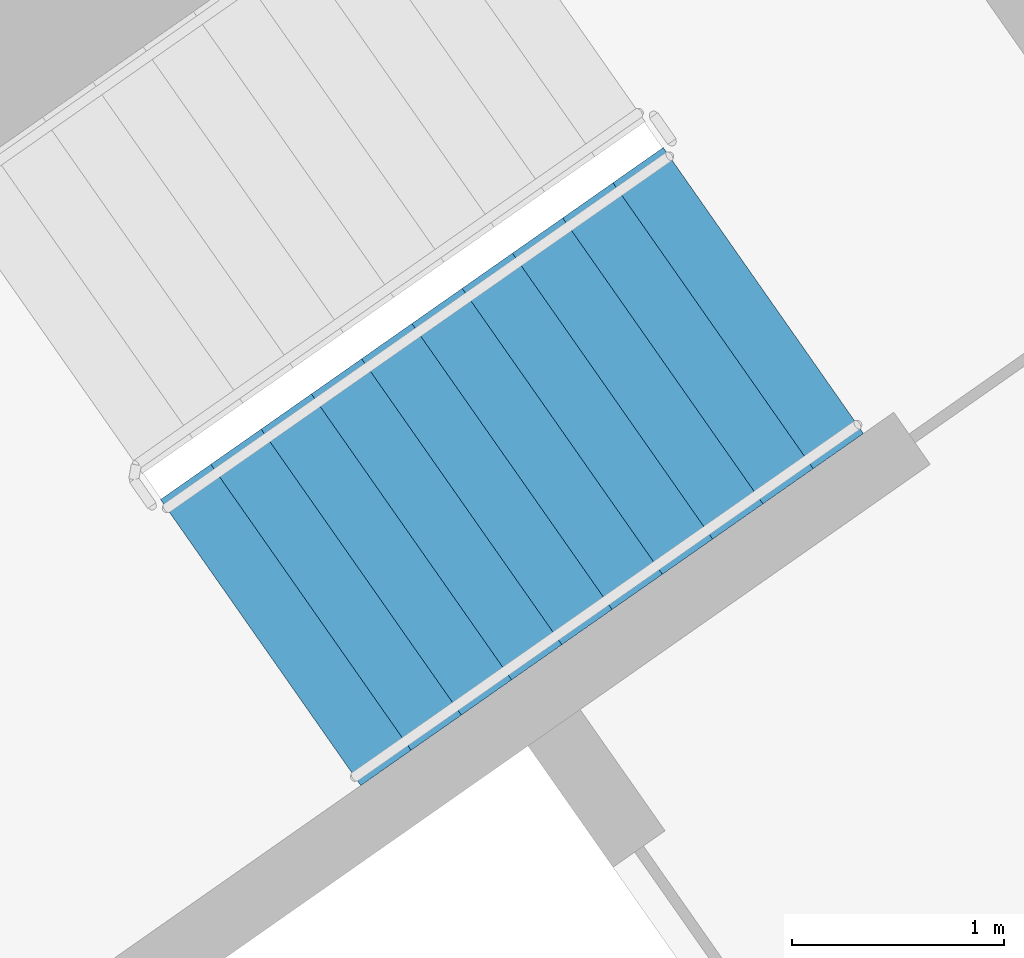
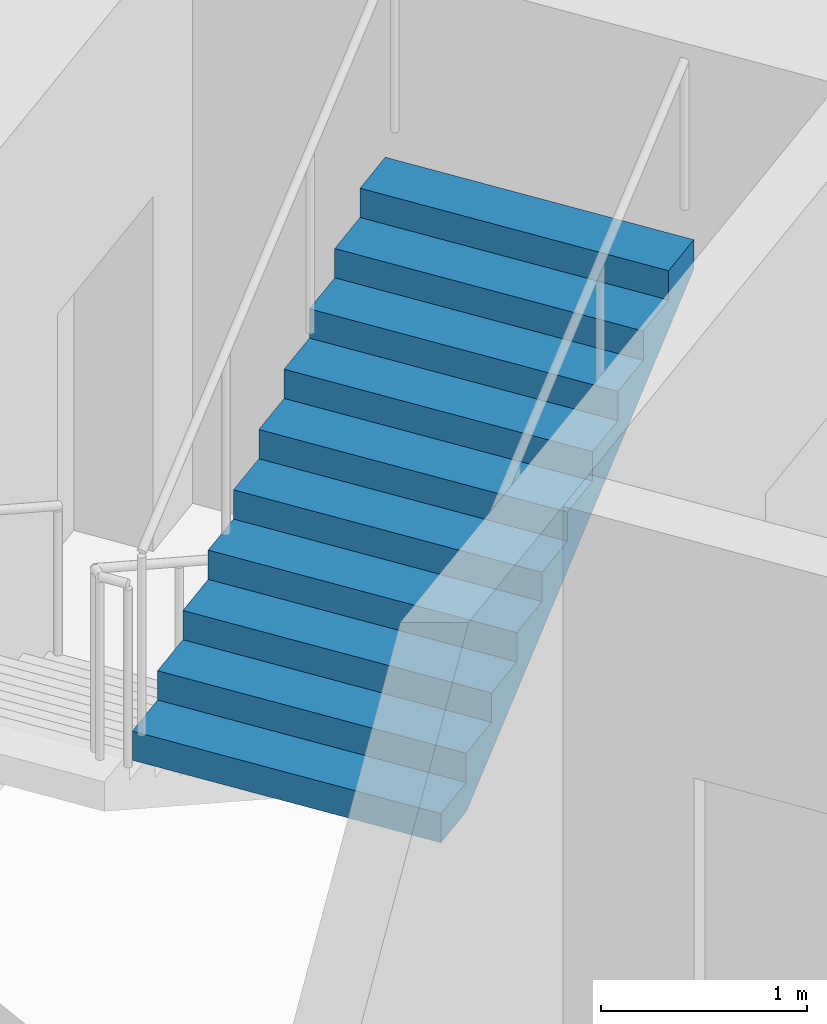
# One storey, part 15 of 33: 1 stair flight, 1 element without a shape of its own.
"""IFC4 building model written with IfcOpenShell, lengths in metres."""

from ifc_helpers import new_model, si_unit, direction, frame, origin, place, context, subcontext, project, spatial, faceted_brep, material, type_object, element, aggregate, save


model = new_model("IFC4")

# Units and contexts
model_context = context("Model", 3, precision=1e-05, world=origin(), true_north=direction((0.0, 1.0)))
body_context = subcontext(model_context, "Body", "Model", "MODEL_VIEW")
ifc_project = project(units=[si_unit("LENGTHUNIT", "METRE"), si_unit("AREAUNIT", "SQUARE_METRE"), si_unit("VOLUMEUNIT", "CUBIC_METRE"), si_unit("PLANEANGLEUNIT", "RADIAN"), si_unit("MASSUNIT", "GRAM", prefix="KILO")], contexts=[model_context])

# Site, building, storey
site_placement = place(None, origin())
site = spatial("IfcSite", under=ifc_project, at=site_placement, CompositionType="ELEMENT")
building_placement = place(site_placement, origin())
building = spatial("IfcBuilding", under=site, at=building_placement, Name="Qamariyya Broadcast Tower", CompositionType="ELEMENT")
storey_placement = place(building_placement, frame((0.0, 0.0, 78.5)))
storey = spatial("IfcBuildingStorey", under=building, at=storey_placement, Name="L16", CompositionType="ELEMENT", Elevation=78.5)

# Stair, stair flight
ifc_material = material(Name="Concrete C50/60", Category="concrete")
stair_type = type_object("IfcStairType", Name="Exit stair 22 risers of 173 mm", PredefinedType="HALF_TURN_STAIR", material=ifc_material)
stair_placement = place(storey_placement, origin())
stair = element("IfcStair", 1, at=stair_placement, inside=storey, type_object=stair_type, Name="L16 Stair E2", PredefinedType="HALF_TURN_STAIR")
stair_flight_type = type_object("IfcStairFlightType", Name="Exit stair flight 11 risers of 173 mm", PredefinedType="STRAIGHT", material=ifc_material)
stair_flight_placement = place(storey_placement, frame((39.215576171875, -50.822998046875, 1.89990234375), z_axis=(0.0, 0.0, 1.0), x_axis=(0.819152044289, 0.573576436351, 0.0)))
stair_flight = element("IfcStairFlight", 2, at=stair_flight_placement, type_object=stair_flight_type, Name="ST-E2 flight 2", NumberOfRisers=11, NumberOfTreads=10, PredefinedType="STRAIGHT", RiserHeight=0.172727273, TreadLength=0.29, context=body_context, shape_type="Brep", body=[
    faceted_brep([(0.0, 0.824951171875, 0.0), (0.0, 0.824951171875, 0.172607421875), (0.2900390625, 0.824951171875, 0.172607421875), (0.2900390625, 0.824951171875, 0.345458984375), (0.580078125, 0.824951171875, 0.345458984375), (0.580078125, 0.824951171875, 0.51806640625), (0.8701171875, 0.824951171875, 0.51806640625), (0.8701171875, 0.824951171875, 0.69091796875), (1.159912109375, 0.824951171875, 0.69091796875), (1.159912109375, 0.824951171875, 0.863525390625), (1.449951171875, 0.824951171875, 0.863525390625), (1.449951171875, 0.824951171875, 1.036376953125), (1.739990234375, 0.824951171875, 1.036376953125), (1.739990234375, 0.824951171875, 1.208984375), (2.030029296875, 0.824951171875, 1.208984375), (2.030029296875, 0.824951171875, 1.3818359375), (2.320068359375, 0.824951171875, 1.3818359375), (2.320068359375, 0.824951171875, 1.554443359375), (2.610107421875, 0.824951171875, 1.554443359375), (2.610107421875, 0.824951171875, 1.727294921875), (2.89990234375, 0.824951171875, 1.727294921875), (2.89990234375, 0.824951171875, 1.552734375), (0.29296875, 0.824951171875, 0.0), (0.29296875, -0.824951171875, 0.0), (2.89990234375, -0.824951171875, 1.552734375), (2.89990234375, -0.824951171875, 1.727294921875), (2.610107421875, -0.824951171875, 1.727294921875), (2.610107421875, -0.824951171875, 1.554443359375), (2.320068359375, -0.824951171875, 1.554443359375), (2.320068359375, -0.824951171875, 1.3818359375), (2.030029296875, -0.824951171875, 1.3818359375), (2.030029296875, -0.824951171875, 1.208984375), (1.739990234375, -0.824951171875, 1.208984375), (1.739990234375, -0.824951171875, 1.036376953125), (1.449951171875, -0.824951171875, 1.036376953125), (1.449951171875, -0.824951171875, 0.863525390625), (1.159912109375, -0.824951171875, 0.863525390625), (1.159912109375, -0.824951171875, 0.69091796875), (0.8701171875, -0.824951171875, 0.69091796875), (0.8701171875, -0.824951171875, 0.51806640625), (0.580078125, -0.824951171875, 0.51806640625), (0.580078125, -0.824951171875, 0.345458984375), (0.2900390625, -0.824951171875, 0.345458984375), (0.2900390625, -0.824951171875, 0.172607421875), (0.0, -0.824951171875, 0.172607421875), (0.0, -0.824951171875, 0.0), (0.0, 0.10009765625, 0.0), (0.0, 0.086669921875, 0.0), (0.0, 0.0732421875, 0.0), (0.0, 0.06005859375, 0.0), (0.0, 0.046630859375, 0.0), (0.0, 0.033447265625, 0.0), (0.0, 0.02001953125, 0.0), (0.0, 0.006591796875, 0.0), (0.0, -0.006591796875, 0.0), (0.0, -0.02001953125, 0.0), (0.0, -0.033447265625, 0.0), (0.0, -0.046630859375, 0.0), (0.0, -0.06005859375, 0.0), (0.0, -0.0732421875, 0.0), (0.0, -0.086669921875, 0.0), (0.0, -0.10009765625, 0.0), (0.0, -0.10009765625, 0.172607421875), (0.0, -0.086669921875, 0.172607421875), (0.0, -0.0732421875, 0.172607421875), (0.0, -0.06005859375, 0.172607421875), (0.0, -0.046630859375, 0.172607421875), (0.0, -0.033447265625, 0.172607421875), (0.0, -0.02001953125, 0.172607421875), (0.0, -0.006591796875, 0.172607421875), (0.0, 0.006591796875, 0.172607421875), (0.0, 0.02001953125, 0.172607421875), (0.0, 0.033447265625, 0.172607421875), (0.0, 0.046630859375, 0.172607421875), (0.0, 0.06005859375, 0.172607421875), (0.0, 0.0732421875, 0.172607421875), (0.0, 0.086669921875, 0.172607421875), (0.0, 0.10009765625, 0.172607421875), (0.2900390625, -0.10009765625, 0.172607421875), (0.2900390625, -0.086669921875, 0.172607421875), (0.2900390625, -0.0732421875, 0.172607421875), (0.2900390625, -0.06005859375, 0.172607421875), (0.2900390625, -0.046630859375, 0.172607421875), (0.2900390625, -0.033447265625, 0.172607421875), (0.2900390625, -0.02001953125, 0.172607421875), (0.2900390625, -0.006591796875, 0.172607421875), (0.2900390625, 0.006591796875, 0.172607421875), (0.2900390625, 0.02001953125, 0.172607421875), (0.2900390625, 0.033447265625, 0.172607421875), (0.2900390625, 0.046630859375, 0.172607421875), (0.2900390625, 0.06005859375, 0.172607421875), (0.2900390625, 0.0732421875, 0.172607421875), (0.2900390625, 0.086669921875, 0.172607421875), (0.2900390625, 0.10009765625, 0.172607421875), (0.2900390625, -0.10009765625, 0.345458984375), (0.2900390625, -0.086669921875, 0.345458984375), (0.2900390625, -0.0732421875, 0.345458984375), (0.2900390625, -0.06005859375, 0.345458984375), (0.2900390625, -0.046630859375, 0.345458984375), (0.2900390625, -0.033447265625, 0.345458984375), (0.2900390625, -0.02001953125, 0.345458984375), (0.2900390625, -0.006591796875, 0.345458984375), (0.2900390625, 0.006591796875, 0.345458984375), (0.2900390625, 0.02001953125, 0.345458984375), (0.2900390625, 0.033447265625, 0.345458984375), (0.2900390625, 0.046630859375, 0.345458984375), (0.2900390625, 0.06005859375, 0.345458984375), (0.2900390625, 0.0732421875, 0.345458984375), (0.2900390625, 0.086669921875, 0.345458984375), (0.2900390625, 0.10009765625, 0.345458984375), (0.580078125, -0.10009765625, 0.345458984375), (0.580078125, -0.086669921875, 0.345458984375), (0.580078125, -0.0732421875, 0.345458984375), (0.580078125, -0.06005859375, 0.345458984375), (0.580078125, -0.046630859375, 0.345458984375), (0.580078125, -0.033447265625, 0.345458984375), (0.580078125, -0.02001953125, 0.345458984375), (0.580078125, -0.006591796875, 0.345458984375), (0.580078125, 0.006591796875, 0.345458984375), (0.580078125, 0.02001953125, 0.345458984375), (0.580078125, 0.033447265625, 0.345458984375), (0.580078125, 0.046630859375, 0.345458984375), (0.580078125, 0.06005859375, 0.345458984375), (0.580078125, 0.0732421875, 0.345458984375), (0.580078125, 0.086669921875, 0.345458984375), (0.580078125, 0.10009765625, 0.345458984375), (0.580078125, -0.10009765625, 0.51806640625), (0.580078125, -0.086669921875, 0.51806640625), (0.580078125, -0.0732421875, 0.51806640625), (0.580078125, -0.06005859375, 0.51806640625), (0.580078125, -0.046630859375, 0.51806640625), (0.580078125, -0.033447265625, 0.51806640625), (0.580078125, -0.02001953125, 0.51806640625), (0.580078125, -0.006591796875, 0.51806640625), (0.580078125, 0.006591796875, 0.51806640625), (0.580078125, 0.02001953125, 0.51806640625), (0.580078125, 0.033447265625, 0.51806640625), (0.580078125, 0.046630859375, 0.51806640625), (0.580078125, 0.06005859375, 0.51806640625), (0.580078125, 0.0732421875, 0.51806640625), (0.580078125, 0.086669921875, 0.51806640625), (0.580078125, 0.10009765625, 0.51806640625), (0.8701171875, -0.10009765625, 0.51806640625), (0.8701171875, -0.086669921875, 0.51806640625), (0.8701171875, -0.0732421875, 0.51806640625), (0.8701171875, -0.06005859375, 0.51806640625), (0.8701171875, -0.046630859375, 0.51806640625), (0.8701171875, -0.033447265625, 0.51806640625), (0.8701171875, -0.02001953125, 0.51806640625), (0.8701171875, -0.006591796875, 0.51806640625), (0.8701171875, 0.006591796875, 0.51806640625), (0.8701171875, 0.02001953125, 0.51806640625), (0.8701171875, 0.033447265625, 0.51806640625), (0.8701171875, 0.046630859375, 0.51806640625), (0.8701171875, 0.06005859375, 0.51806640625), (0.8701171875, 0.0732421875, 0.51806640625), (0.8701171875, 0.086669921875, 0.51806640625), (0.8701171875, 0.10009765625, 0.51806640625), (0.8701171875, -0.10009765625, 0.69091796875), (0.8701171875, -0.086669921875, 0.69091796875), (0.8701171875, -0.0732421875, 0.69091796875), (0.8701171875, -0.06005859375, 0.69091796875), (0.8701171875, -0.046630859375, 0.69091796875), (0.8701171875, -0.033447265625, 0.69091796875), (0.8701171875, -0.02001953125, 0.69091796875), (0.8701171875, -0.006591796875, 0.69091796875), (0.8701171875, 0.006591796875, 0.69091796875), (0.8701171875, 0.02001953125, 0.69091796875), (0.8701171875, 0.033447265625, 0.69091796875), (0.8701171875, 0.046630859375, 0.69091796875), (0.8701171875, 0.06005859375, 0.69091796875), (0.8701171875, 0.0732421875, 0.69091796875), (0.8701171875, 0.086669921875, 0.69091796875), (0.8701171875, 0.10009765625, 0.69091796875), (1.159912109375, -0.10009765625, 0.69091796875), (1.159912109375, -0.086669921875, 0.69091796875), (1.159912109375, -0.0732421875, 0.69091796875), (1.159912109375, -0.06005859375, 0.69091796875), (1.159912109375, -0.046630859375, 0.69091796875), (1.159912109375, -0.033447265625, 0.69091796875), (1.159912109375, -0.02001953125, 0.69091796875), (1.159912109375, -0.006591796875, 0.69091796875), (1.159912109375, 0.006591796875, 0.69091796875), (1.159912109375, 0.02001953125, 0.69091796875), (1.159912109375, 0.033447265625, 0.69091796875), (1.159912109375, 0.046630859375, 0.69091796875), (1.159912109375, 0.06005859375, 0.69091796875), (1.159912109375, 0.0732421875, 0.69091796875), (1.159912109375, 0.086669921875, 0.69091796875), (1.159912109375, 0.10009765625, 0.69091796875), (1.159912109375, -0.10009765625, 0.863525390625), (1.159912109375, -0.086669921875, 0.863525390625), (1.159912109375, -0.0732421875, 0.863525390625), (1.159912109375, -0.06005859375, 0.863525390625), (1.159912109375, -0.046630859375, 0.863525390625), (1.159912109375, -0.033447265625, 0.863525390625), (1.159912109375, -0.02001953125, 0.863525390625), (1.159912109375, -0.006591796875, 0.863525390625), (1.159912109375, 0.006591796875, 0.863525390625), (1.159912109375, 0.02001953125, 0.863525390625), (1.159912109375, 0.033447265625, 0.863525390625), (1.159912109375, 0.046630859375, 0.863525390625), (1.159912109375, 0.06005859375, 0.863525390625), (1.159912109375, 0.0732421875, 0.863525390625), (1.159912109375, 0.086669921875, 0.863525390625), (1.159912109375, 0.10009765625, 0.863525390625), (1.449951171875, -0.10009765625, 0.863525390625), (1.449951171875, -0.086669921875, 0.863525390625), (1.449951171875, -0.0732421875, 0.863525390625), (1.449951171875, -0.06005859375, 0.863525390625), (1.449951171875, -0.046630859375, 0.863525390625), (1.449951171875, -0.033447265625, 0.863525390625), (1.449951171875, -0.02001953125, 0.863525390625), (1.449951171875, -0.006591796875, 0.863525390625), (1.449951171875, 0.006591796875, 0.863525390625), (1.449951171875, 0.02001953125, 0.863525390625), (1.449951171875, 0.033447265625, 0.863525390625), (1.449951171875, 0.046630859375, 0.863525390625), (1.449951171875, 0.06005859375, 0.863525390625), (1.449951171875, 0.0732421875, 0.863525390625), (1.449951171875, 0.086669921875, 0.863525390625), (1.449951171875, 0.10009765625, 0.863525390625), (1.449951171875, -0.10009765625, 1.036376953125), (1.449951171875, -0.086669921875, 1.036376953125), (1.449951171875, -0.0732421875, 1.036376953125), (1.449951171875, -0.06005859375, 1.036376953125), (1.449951171875, -0.046630859375, 1.036376953125), (1.449951171875, -0.033447265625, 1.036376953125), (1.449951171875, -0.02001953125, 1.036376953125), (1.449951171875, -0.006591796875, 1.036376953125), (1.449951171875, 0.006591796875, 1.036376953125), (1.449951171875, 0.02001953125, 1.036376953125), (1.449951171875, 0.033447265625, 1.036376953125), (1.449951171875, 0.046630859375, 1.036376953125), (1.449951171875, 0.06005859375, 1.036376953125), (1.449951171875, 0.0732421875, 1.036376953125), (1.449951171875, 0.086669921875, 1.036376953125), (1.449951171875, 0.10009765625, 1.036376953125), (1.739990234375, -0.10009765625, 1.036376953125), (1.739990234375, -0.086669921875, 1.036376953125), (1.739990234375, -0.0732421875, 1.036376953125), (1.739990234375, -0.06005859375, 1.036376953125), (1.739990234375, -0.046630859375, 1.036376953125), (1.739990234375, -0.033447265625, 1.036376953125), (1.739990234375, -0.02001953125, 1.036376953125), (1.739990234375, -0.006591796875, 1.036376953125), (1.739990234375, 0.006591796875, 1.036376953125), (1.739990234375, 0.02001953125, 1.036376953125), (1.739990234375, 0.033447265625, 1.036376953125), (1.739990234375, 0.046630859375, 1.036376953125), (1.739990234375, 0.06005859375, 1.036376953125), (1.739990234375, 0.0732421875, 1.036376953125), (1.739990234375, 0.086669921875, 1.036376953125), (1.739990234375, 0.10009765625, 1.036376953125), (1.739990234375, -0.10009765625, 1.208984375), (1.739990234375, -0.086669921875, 1.208984375), (1.739990234375, -0.0732421875, 1.208984375), (1.739990234375, -0.06005859375, 1.208984375), (1.739990234375, -0.046630859375, 1.208984375), (1.739990234375, -0.033447265625, 1.208984375), (1.739990234375, -0.02001953125, 1.208984375), (1.739990234375, -0.006591796875, 1.208984375), (1.739990234375, 0.006591796875, 1.208984375), (1.739990234375, 0.02001953125, 1.208984375), (1.739990234375, 0.033447265625, 1.208984375), (1.739990234375, 0.046630859375, 1.208984375), (1.739990234375, 0.06005859375, 1.208984375), (1.739990234375, 0.0732421875, 1.208984375), (1.739990234375, 0.086669921875, 1.208984375), (1.739990234375, 0.10009765625, 1.208984375), (2.030029296875, -0.10009765625, 1.208984375), (2.030029296875, -0.086669921875, 1.208984375), (2.030029296875, -0.0732421875, 1.208984375), (2.030029296875, -0.06005859375, 1.208984375), (2.030029296875, -0.046630859375, 1.208984375), (2.030029296875, -0.033447265625, 1.208984375), (2.030029296875, -0.02001953125, 1.208984375), (2.030029296875, -0.006591796875, 1.208984375), (2.030029296875, 0.006591796875, 1.208984375), (2.030029296875, 0.02001953125, 1.208984375), (2.030029296875, 0.033447265625, 1.208984375), (2.030029296875, 0.046630859375, 1.208984375), (2.030029296875, 0.06005859375, 1.208984375), (2.030029296875, 0.0732421875, 1.208984375), (2.030029296875, 0.086669921875, 1.208984375), (2.030029296875, 0.10009765625, 1.208984375), (2.030029296875, -0.10009765625, 1.3818359375), (2.030029296875, -0.086669921875, 1.3818359375), (2.030029296875, -0.0732421875, 1.3818359375), (2.030029296875, -0.06005859375, 1.3818359375), (2.030029296875, -0.046630859375, 1.3818359375), (2.030029296875, -0.033447265625, 1.3818359375), (2.030029296875, -0.02001953125, 1.3818359375), (2.030029296875, -0.006591796875, 1.3818359375), (2.030029296875, 0.006591796875, 1.3818359375), (2.030029296875, 0.02001953125, 1.3818359375), (2.030029296875, 0.033447265625, 1.3818359375), (2.030029296875, 0.046630859375, 1.3818359375), (2.030029296875, 0.06005859375, 1.3818359375), (2.030029296875, 0.0732421875, 1.3818359375), (2.030029296875, 0.086669921875, 1.3818359375), (2.030029296875, 0.10009765625, 1.3818359375), (2.320068359375, -0.10009765625, 1.3818359375), (2.320068359375, -0.086669921875, 1.3818359375), (2.320068359375, -0.0732421875, 1.3818359375), (2.320068359375, -0.06005859375, 1.3818359375), (2.320068359375, -0.046630859375, 1.3818359375), (2.320068359375, -0.033447265625, 1.3818359375), (2.320068359375, -0.02001953125, 1.3818359375), (2.320068359375, -0.006591796875, 1.3818359375), (2.320068359375, 0.006591796875, 1.3818359375), (2.320068359375, 0.02001953125, 1.3818359375), (2.320068359375, 0.033447265625, 1.3818359375), (2.320068359375, 0.046630859375, 1.3818359375), (2.320068359375, 0.06005859375, 1.3818359375), (2.320068359375, 0.0732421875, 1.3818359375), (2.320068359375, 0.086669921875, 1.3818359375), (2.320068359375, 0.10009765625, 1.3818359375), (2.320068359375, -0.10009765625, 1.554443359375), (2.320068359375, -0.086669921875, 1.554443359375), (2.320068359375, -0.0732421875, 1.554443359375), (2.320068359375, -0.06005859375, 1.554443359375), (2.320068359375, -0.046630859375, 1.554443359375), (2.320068359375, -0.033447265625, 1.554443359375), (2.320068359375, -0.02001953125, 1.554443359375), (2.320068359375, -0.006591796875, 1.554443359375), (2.320068359375, 0.006591796875, 1.554443359375), (2.320068359375, 0.02001953125, 1.554443359375), (2.320068359375, 0.033447265625, 1.554443359375), (2.320068359375, 0.046630859375, 1.554443359375), (2.320068359375, 0.06005859375, 1.554443359375), (2.320068359375, 0.0732421875, 1.554443359375), (2.320068359375, 0.086669921875, 1.554443359375), (2.320068359375, 0.10009765625, 1.554443359375), (2.610107421875, -0.10009765625, 1.554443359375), (2.610107421875, -0.086669921875, 1.554443359375), (2.610107421875, -0.0732421875, 1.554443359375), (2.610107421875, -0.06005859375, 1.554443359375), (2.610107421875, -0.046630859375, 1.554443359375), (2.610107421875, -0.033447265625, 1.554443359375), (2.610107421875, -0.02001953125, 1.554443359375), (2.610107421875, -0.006591796875, 1.554443359375), (2.610107421875, 0.006591796875, 1.554443359375), (2.610107421875, 0.02001953125, 1.554443359375), (2.610107421875, 0.033447265625, 1.554443359375), (2.610107421875, 0.046630859375, 1.554443359375), (2.610107421875, 0.06005859375, 1.554443359375), (2.610107421875, 0.0732421875, 1.554443359375), (2.610107421875, 0.086669921875, 1.554443359375), (2.610107421875, 0.10009765625, 1.554443359375), (2.610107421875, -0.10009765625, 1.727294921875), (2.610107421875, -0.086669921875, 1.727294921875), (2.610107421875, -0.0732421875, 1.727294921875), (2.610107421875, -0.06005859375, 1.727294921875), (2.610107421875, -0.046630859375, 1.727294921875), (2.610107421875, -0.033447265625, 1.727294921875), (2.610107421875, -0.02001953125, 1.727294921875), (2.610107421875, -0.006591796875, 1.727294921875), (2.610107421875, 0.006591796875, 1.727294921875), (2.610107421875, 0.02001953125, 1.727294921875), (2.610107421875, 0.033447265625, 1.727294921875), (2.610107421875, 0.046630859375, 1.727294921875), (2.610107421875, 0.06005859375, 1.727294921875), (2.610107421875, 0.0732421875, 1.727294921875), (2.610107421875, 0.086669921875, 1.727294921875), (2.610107421875, 0.10009765625, 1.727294921875), (2.89990234375, -0.10009765625, 1.727294921875), (2.89990234375, -0.086669921875, 1.727294921875), (2.89990234375, -0.0732421875, 1.727294921875), (2.89990234375, -0.06005859375, 1.727294921875), (2.89990234375, -0.046630859375, 1.727294921875), (2.89990234375, -0.033447265625, 1.727294921875), (2.89990234375, -0.02001953125, 1.727294921875), (2.89990234375, -0.006591796875, 1.727294921875), (2.89990234375, 0.006591796875, 1.727294921875), (2.89990234375, 0.02001953125, 1.727294921875), (2.89990234375, 0.033447265625, 1.727294921875), (2.89990234375, 0.046630859375, 1.727294921875), (2.89990234375, 0.06005859375, 1.727294921875), (2.89990234375, 0.0732421875, 1.727294921875), (2.89990234375, 0.086669921875, 1.727294921875), (2.89990234375, 0.10009765625, 1.727294921875), (2.89990234375, -0.10009765625, 1.552734375), (2.89990234375, -0.086669921875, 1.552734375), (2.89990234375, -0.0732421875, 1.552734375), (2.89990234375, -0.06005859375, 1.552734375), (2.89990234375, -0.046630859375, 1.552734375), (2.89990234375, -0.033447265625, 1.552734375), (2.89990234375, -0.02001953125, 1.552734375), (2.89990234375, -0.006591796875, 1.552734375), (2.89990234375, 0.006591796875, 1.552734375), (2.89990234375, 0.02001953125, 1.552734375), (2.89990234375, 0.033447265625, 1.552734375), (2.89990234375, 0.046630859375, 1.552734375), (2.89990234375, 0.06005859375, 1.552734375), (2.89990234375, 0.0732421875, 1.552734375), (2.89990234375, 0.086669921875, 1.552734375), (2.89990234375, 0.10009765625, 1.552734375), (0.29296875, -0.10009765625, 0.0), (0.29296875, -0.086669921875, 0.0), (0.29296875, -0.0732421875, 0.0), (0.29296875, -0.06005859375, 0.0), (0.29296875, -0.046630859375, 0.0), (0.29296875, -0.033447265625, 0.0), (0.29296875, -0.02001953125, 0.0), (0.29296875, -0.006591796875, 0.0), (0.29296875, 0.006591796875, 0.0), (0.29296875, 0.02001953125, 0.0), (0.29296875, 0.033447265625, 0.0), (0.29296875, 0.046630859375, 0.0), (0.29296875, 0.06005859375, 0.0), (0.29296875, 0.0732421875, 0.0), (0.29296875, 0.086669921875, 0.0), (0.29296875, 0.10009765625, 0.0)], [[[0, 1, 2, 3, 4, 5, 6, 7, 8, 9, 10, 11, 12, 13, 14, 15, 16, 17, 18, 19, 20, 21, 22]], [[23, 24, 25, 26, 27, 28, 29, 30, 31, 32, 33, 34, 35, 36, 37, 38, 39, 40, 41, 42, 43, 44, 45]], [[0, 46, 47, 48, 49, 50, 51, 52, 53, 54, 55, 56, 57, 58, 59, 60, 61, 45, 44, 62, 63, 64, 65, 66, 67, 68, 69, 70, 71, 72, 73, 74, 75, 76, 77, 1]], [[1, 77, 76, 75, 74, 73, 72, 71, 70, 69, 68, 67, 66, 65, 64, 63, 62, 44, 43, 78, 79, 80, 81, 82, 83, 84, 85, 86, 87, 88, 89, 90, 91, 92, 93, 2]], [[2, 93, 92, 91, 90, 89, 88, 87, 86, 85, 84, 83, 82, 81, 80, 79, 78, 43, 42, 94, 95, 96, 97, 98, 99, 100, 101, 102, 103, 104, 105, 106, 107, 108, 109, 3]], [[3, 109, 108, 107, 106, 105, 104, 103, 102, 101, 100, 99, 98, 97, 96, 95, 94, 42, 41, 110, 111, 112, 113, 114, 115, 116, 117, 118, 119, 120, 121, 122, 123, 124, 125, 4]], [[4, 125, 124, 123, 122, 121, 120, 119, 118, 117, 116, 115, 114, 113, 112, 111, 110, 41, 40, 126, 127, 128, 129, 130, 131, 132, 133, 134, 135, 136, 137, 138, 139, 140, 141, 5]], [[5, 141, 140, 139, 138, 137, 136, 135, 134, 133, 132, 131, 130, 129, 128, 127, 126, 40, 39, 142, 143, 144, 145, 146, 147, 148, 149, 150, 151, 152, 153, 154, 155, 156, 157, 6]], [[6, 157, 156, 155, 154, 153, 152, 151, 150, 149, 148, 147, 146, 145, 144, 143, 142, 39, 38, 158, 159, 160, 161, 162, 163, 164, 165, 166, 167, 168, 169, 170, 171, 172, 173, 7]], [[7, 173, 172, 171, 170, 169, 168, 167, 166, 165, 164, 163, 162, 161, 160, 159, 158, 38, 37, 174, 175, 176, 177, 178, 179, 180, 181, 182, 183, 184, 185, 186, 187, 188, 189, 8]], [[8, 189, 188, 187, 186, 185, 184, 183, 182, 181, 180, 179, 178, 177, 176, 175, 174, 37, 36, 190, 191, 192, 193, 194, 195, 196, 197, 198, 199, 200, 201, 202, 203, 204, 205, 9]], [[9, 205, 204, 203, 202, 201, 200, 199, 198, 197, 196, 195, 194, 193, 192, 191, 190, 36, 35, 206, 207, 208, 209, 210, 211, 212, 213, 214, 215, 216, 217, 218, 219, 220, 221, 10]], [[10, 221, 220, 219, 218, 217, 216, 215, 214, 213, 212, 211, 210, 209, 208, 207, 206, 35, 34, 222, 223, 224, 225, 226, 227, 228, 229, 230, 231, 232, 233, 234, 235, 236, 237, 11]], [[11, 237, 236, 235, 234, 233, 232, 231, 230, 229, 228, 227, 226, 225, 224, 223, 222, 34, 33, 238, 239, 240, 241, 242, 243, 244, 245, 246, 247, 248, 249, 250, 251, 252, 253, 12]], [[12, 253, 252, 251, 250, 249, 248, 247, 246, 245, 244, 243, 242, 241, 240, 239, 238, 33, 32, 254, 255, 256, 257, 258, 259, 260, 261, 262, 263, 264, 265, 266, 267, 268, 269, 13]], [[13, 269, 268, 267, 266, 265, 264, 263, 262, 261, 260, 259, 258, 257, 256, 255, 254, 32, 31, 270, 271, 272, 273, 274, 275, 276, 277, 278, 279, 280, 281, 282, 283, 284, 285, 14]], [[14, 285, 284, 283, 282, 281, 280, 279, 278, 277, 276, 275, 274, 273, 272, 271, 270, 31, 30, 286, 287, 288, 289, 290, 291, 292, 293, 294, 295, 296, 297, 298, 299, 300, 301, 15]], [[15, 301, 300, 299, 298, 297, 296, 295, 294, 293, 292, 291, 290, 289, 288, 287, 286, 30, 29, 302, 303, 304, 305, 306, 307, 308, 309, 310, 311, 312, 313, 314, 315, 316, 317, 16]], [[16, 317, 316, 315, 314, 313, 312, 311, 310, 309, 308, 307, 306, 305, 304, 303, 302, 29, 28, 318, 319, 320, 321, 322, 323, 324, 325, 326, 327, 328, 329, 330, 331, 332, 333, 17]], [[17, 333, 332, 331, 330, 329, 328, 327, 326, 325, 324, 323, 322, 321, 320, 319, 318, 28, 27, 334, 335, 336, 337, 338, 339, 340, 341, 342, 343, 344, 345, 346, 347, 348, 349, 18]], [[18, 349, 348, 347, 346, 345, 344, 343, 342, 341, 340, 339, 338, 337, 336, 335, 334, 27, 26, 350, 351, 352, 353, 354, 355, 356, 357, 358, 359, 360, 361, 362, 363, 364, 365, 19]], [[19, 365, 364, 363, 362, 361, 360, 359, 358, 357, 356, 355, 354, 353, 352, 351, 350, 26, 25, 366, 367, 368, 369, 370, 371, 372, 373, 374, 375, 376, 377, 378, 379, 380, 381, 20]], [[20, 381, 380, 379, 378, 377, 376, 375, 374, 373, 372, 371, 370, 369, 368, 367, 366, 25, 24, 382, 383, 384, 385, 386, 387, 388, 389, 390, 391, 392, 393, 394, 395, 396, 397, 21]], [[21, 397, 396, 395, 394, 393, 392, 391, 390, 389, 388, 387, 386, 385, 384, 383, 382, 24, 23, 398, 399, 400, 401, 402, 403, 404, 405, 406, 407, 408, 409, 410, 411, 412, 413, 22]], [[22, 413, 412, 411, 410, 409, 408, 407, 406, 405, 404, 403, 402, 401, 400, 399, 398, 23, 45, 61, 60, 59, 58, 57, 56, 55, 54, 53, 52, 51, 50, 49, 48, 47, 46, 0]]]),
])
aggregate(stair, [stair_flight])

save(model, "model.ifc")
